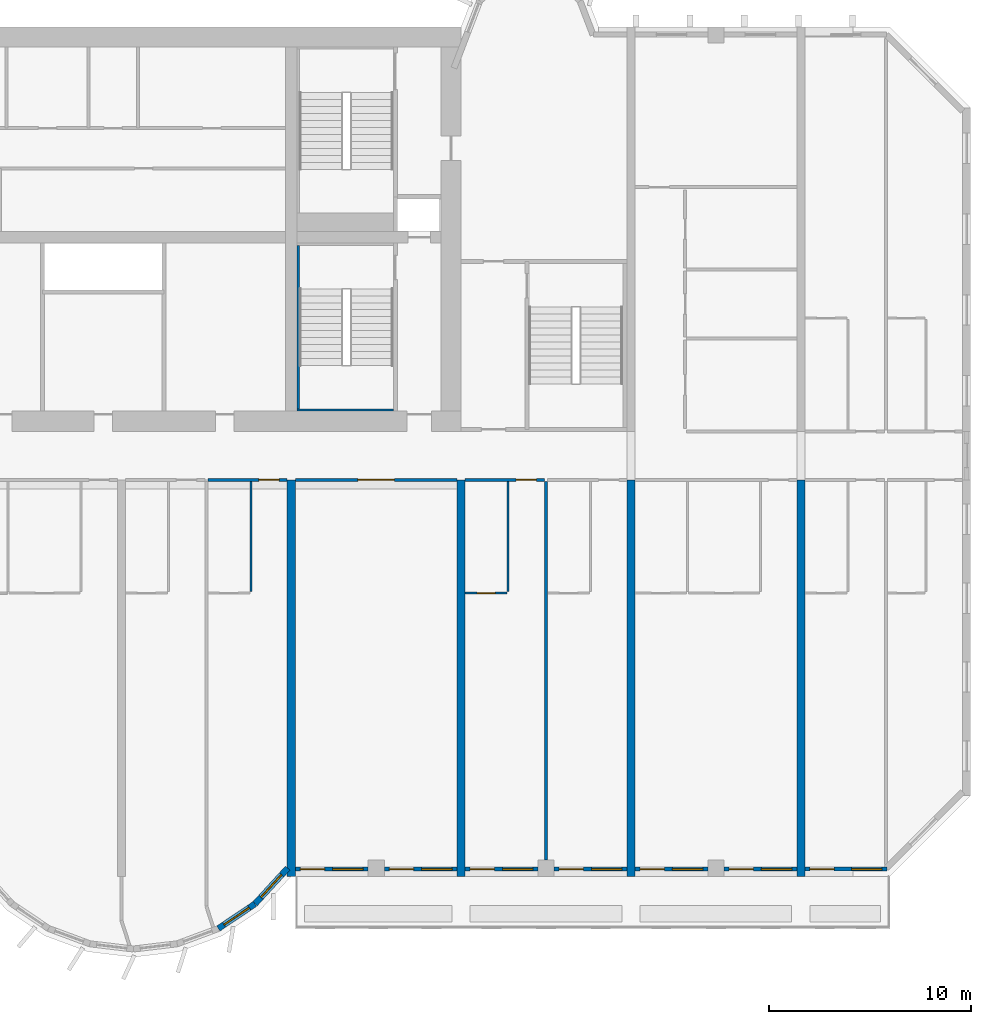
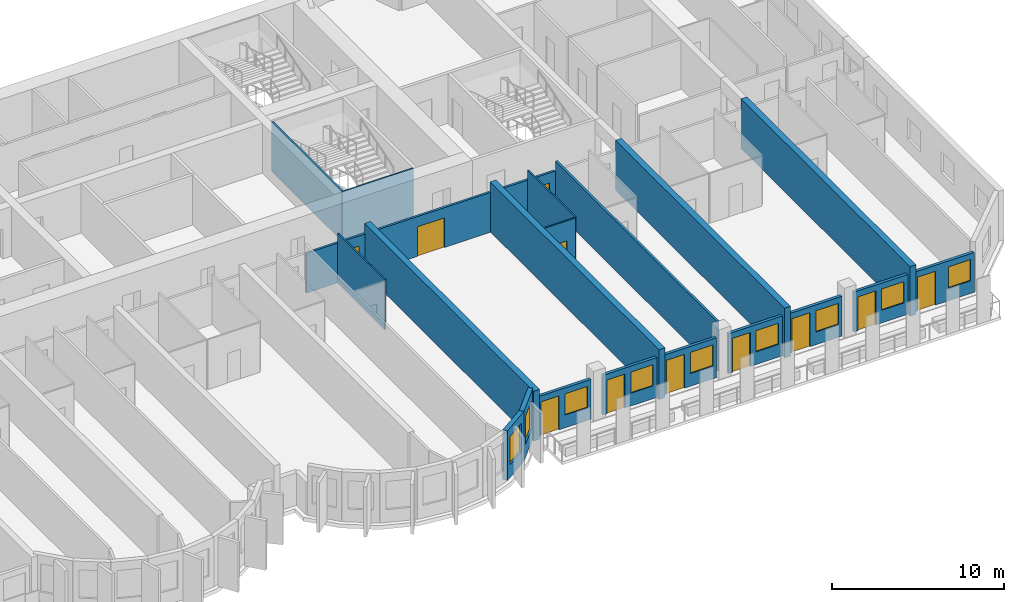
# One storey, part 8 of 15: 22 walls, 11 doors, 9 windows, 20 openings.
"""IFC4 building model written with IfcOpenShell, lengths in metres."""

from ifc_helpers import new_model, si_unit, direction, frame, frame_2d, origin, place, context, subcontext, project, spatial, rectangle, extrude, source, transform, mapped, material, layer, layer_set, type_object, element, fill, save


model = new_model("IFC4")

# Units and contexts
model_context = context("Model", 3, precision=1e-05, world=origin(), true_north=direction((0.0, 1.0)))
body_context = subcontext(model_context, "Body", "Model", "MODEL_VIEW")
ifc_project = project(units=[si_unit("LENGTHUNIT", "METRE"), si_unit("AREAUNIT", "SQUARE_METRE"), si_unit("VOLUMEUNIT", "CUBIC_METRE"), si_unit("PLANEANGLEUNIT", "RADIAN"), si_unit("MASSUNIT", "GRAM", prefix="KILO")], contexts=[model_context])

# Site, building, storey
site_placement = place(None, origin())
site = spatial("IfcSite", under=ifc_project, at=site_placement, CompositionType="ELEMENT")
building_placement = place(site_placement, origin())
building = spatial("IfcBuilding", under=site, at=building_placement, Name="Vanashikhar Sky Hotel", CompositionType="ELEMENT")
storey_placement = place(building_placement, frame((0.0, 0.0, 77.199951171875)))
storey = spatial("IfcBuildingStorey", under=building, at=storey_placement, Name="L18", CompositionType="ELEMENT", Elevation=77.199951171875)

# Walls
ifc_material_1 = material(Name="Concrete M80", Category="concrete")
ifc_layer_1 = layer(ifc_material_1, 0.39990234375)
ifc_layer_set_1 = layer_set([ifc_layer_1], Name="RC shear wall 400 Concrete M80")
wall_type_1 = type_object("IfcWallType", Name="RC shear wall 400 Concrete M80", PredefinedType="SHEAR", material=ifc_layer_set_1)
shared_shape_1 = source(origin(), body_context, "Body", "SweptSolid", [
    extrude(rectangle(XDim=19.60009765625, YDim=0.39990234375, at=frame_2d((9.800048828125, 0.0))), origin(), (0.0, 0.0, 1.0), 3.52001953125),
])
for number, where, z_axis, x_axis, name in (
    (1, (67.199951171875, 0.0, 0.0), (0.0, 0.0, 1.0), (0.0, 1.0, 0.0), "CW-L18-XW09-1"),
    (2, (75.60009765625, 0.0, 0.0), (0.0, 0.0, 1.0), (0.0, 1.0, 0.0), "CW-L18-XW10-1"),
    (3, (84.0, 0.0, 0.0), (0.0, 0.0, 1.0), (0.0, 1.0, 0.0), "CW-L18-XW11-1"),
    (4, (92.39990234375, 0.0, 0.0), (0.0, 0.0, 1.0), (0.0, 1.0, 0.0), "CW-L18-XW12-1"),
):
    element("IfcWall", number, at=place(storey_placement, frame(where, z_axis=z_axis, x_axis=x_axis)), inside=storey, type_object=wall_type_1, Name=name, PredefinedType="SHEAR", context=body_context, shape_type="MappedRepresentation", body=[
        mapped(shared_shape_1, transform((0.0, 0.0, 0.0), scale=1.0)),
    ])

# Wall, opening, window
ifc_material_2 = material(Name="Concrete M50", Category="concrete")
ifc_layer_2 = layer(ifc_material_2, 0.300048828125)
ifc_layer_set_2 = layer_set([ifc_layer_2], Name="Lobe wall 300")
wall_type_2 = type_object("IfcWallType", Name="Lobe wall 300", PredefinedType="SOLIDWALL", material=ifc_layer_set_2)
shared_shape_2 = source(origin(), body_context, "Body", "SweptSolid", [
    extrude(rectangle(XDim=2.398193359375, YDim=0.300048828125, at=frame_2d((1.19921875, 0.0))), origin(), (0.0, 0.0, 1.0), 3.52001953125),
])
wall_1_placement = place(storey_placement, frame((65.404296875, -1.36865234375, 0.0), z_axis=(0.0, 0.0, 1.0), x_axis=(0.675374189419, 0.737475222815, 0.0)))
wall_1 = element("IfcWall", 5, at=wall_1_placement, inside=storey, type_object=wall_type_2, Name="Lobe wall", PredefinedType="SOLIDWALL", context=body_context, shape_type="MappedRepresentation", body=[
    mapped(shared_shape_2, transform((0.0, 0.0, 0.0), scale=1.0)),
])
shared_shape_3 = source(origin(), body_context, "Body", "SweptSolid", [
    extrude(rectangle(XDim=1.5, YDim=2.0, at=frame_2d((0.75, 1.0))), frame((0.0, 0.16015625, 0.0), z_axis=(0.0, -1.0, 0.0), x_axis=(1.0, 0.0, 0.0)), (0.0, 0.0, 1.0), 0.320068359375),
])
opening_1_placement = place(wall_1_placement, frame((0.44921875, 0.0, 0.89990234375)))
opening_1 = element("IfcOpeningElement", 6, at=opening_1_placement, cuts=wall_1, Name="Opening WN-2", PredefinedType="OPENING", context=body_context, shape_type="MappedRepresentation", body=[
    mapped(shared_shape_3, transform((0.0, 0.0, 0.0), scale=1.0)),
])
ifc_material_3 = material(Name="Glass", Category="glass")
window_type_1 = type_object("IfcWindowType", Name="Lobe window 1500 x 2000", PartitioningType="SINGLE_PANEL", PredefinedType="WINDOW", material=ifc_material_3)
shared_shape_4 = source(origin(), body_context, "Body", "SweptSolid", [
    extrude(rectangle(XDim=1.5, YDim=2.0, at=frame_2d((0.75, 1.0))), frame((0.0, 0.030029296875, 0.0), z_axis=(0.0, -1.0, 0.0), x_axis=(1.0, 0.0, 0.0)), (0.0, 0.0, 1.0), 0.06005859375),
])
window_1_placement = place(opening_1_placement, origin())
window_1 = element("IfcWindow", 7, at=window_1_placement, inside=storey, type_object=window_type_1, Name="Window WN-2", OverallHeight=2.0, OverallWidth=1.5, PartitioningType="SINGLE_PANEL", PredefinedType="WINDOW", context=body_context, shape_type="MappedRepresentation", body=[
    mapped(shared_shape_4, transform((0.0, 0.0, 0.0), scale=1.0)),
])
fill(opening_1, window_1)

shared_shape_5 = source(origin(), body_context, "Body", "SweptSolid", [
    extrude(rectangle(XDim=2.17578125, YDim=0.300048828125, at=frame_2d((1.087890625, 0.0))), origin(), (0.0, 0.0, 1.0), 3.52001953125),
])
wall_2_placement = place(storey_placement, frame((63.59912109375, -2.58349609375, 0.0), z_axis=(0.0, 0.0, 1.0), x_axis=(0.829625727223, 0.558319937607, 0.0)))
wall_2 = element("IfcWall", 8, at=wall_2_placement, inside=storey, type_object=wall_type_2, Name="Lobe wall", PredefinedType="SOLIDWALL", context=body_context, shape_type="MappedRepresentation", body=[
    mapped(shared_shape_5, transform((0.0, 0.0, 0.0), scale=1.0)),
])
opening_2_placement = place(wall_2_placement, frame((0.337890625, 0.0, 0.89990234375)))
opening_2 = element("IfcOpeningElement", 9, at=opening_2_placement, cuts=wall_2, Name="Opening WN-2", PredefinedType="OPENING", context=body_context, shape_type="MappedRepresentation", body=[
    mapped(shared_shape_3, transform((0.0, 0.0, 0.0), scale=1.0)),
])
window_2_placement = place(opening_2_placement, origin())
window_2 = element("IfcWindow", 10, at=window_2_placement, inside=storey, type_object=window_type_1, Name="Window WN-2", OverallHeight=2.0, OverallWidth=1.5, PartitioningType="SINGLE_PANEL", PredefinedType="WINDOW", context=body_context, shape_type="MappedRepresentation", body=[
    mapped(shared_shape_4, transform((0.0, 0.0, 0.0), scale=1.0)),
])
fill(opening_2, window_2)

# Wall, openings, window, door
ifc_layer_3 = layer(ifc_material_2, 0.199951171875)
ifc_layer_set_3 = layer_set([ifc_layer_3], Name="Front window wall 200")
wall_type_3 = type_object("IfcWallType", Name="Front window wall 200", PredefinedType="SOLIDWALL", material=ifc_layer_set_3)
shared_shape_6 = source(origin(), body_context, "Body", "SweptSolid", [
    extrude(rectangle(XDim=4.054931640625, YDim=0.199951171875, at=frame_2d((2.02734375, 0.0))), origin(), (0.0, 0.0, 1.0), 2.820068359375),
])
wall_3_placement = place(storey_placement, frame((92.60009765625, 0.35009765625, 0.0), z_axis=(0.0, 0.0, 1.0), x_axis=(1.0, 0.0, 0.0)))
wall_3 = element("IfcWall", 11, at=wall_3_placement, inside=storey, type_object=wall_type_3, Name="Front window wall", PredefinedType="SOLIDWALL", context=body_context, shape_type="MappedRepresentation", body=[
    mapped(shared_shape_6, transform((0.0, 0.0, 0.0), scale=1.0)),
])
shared_shape_7 = source(origin(), body_context, "Body", "SweptSolid", [
    extrude(rectangle(XDim=1.199951171875, YDim=2.39990234375, at=frame_2d((0.60009765625, 1.199951171875))), frame((0.0, 0.10986328125, 0.0), z_axis=(0.0, -1.0, 0.0), x_axis=(1.0, 0.0, 0.0)), (0.0, 0.0, 1.0), 0.219970703125),
])
opening_3_placement = place(wall_3_placement, frame((0.25, 0.0, 0.0)))
opening_3 = element("IfcOpeningElement", 12, at=opening_3_placement, cuts=wall_3, Name="Opening BD-14", PredefinedType="OPENING", context=body_context, shape_type="MappedRepresentation", body=[
    mapped(shared_shape_7, transform((0.0, 0.0, 0.0), scale=1.0)),
])
shared_shape_8 = source(origin(), body_context, "Body", "SweptSolid", [
    extrude(rectangle(XDim=1.5, YDim=1.5, at=frame_2d((0.75, 0.75))), frame((0.0, 0.10986328125, 0.0), z_axis=(0.0, -1.0, 0.0), x_axis=(1.0, 0.0, 0.0)), (0.0, 0.0, 1.0), 0.219970703125),
])
opening_4_placement = place(wall_3_placement, frame((2.304931640625, 0.0, 0.89990234375)))
opening_4 = element("IfcOpeningElement", 13, at=opening_4_placement, cuts=wall_3, Name="Opening WN-1", PredefinedType="OPENING", context=body_context, shape_type="MappedRepresentation", body=[
    mapped(shared_shape_8, transform((0.0, 0.0, 0.0), scale=1.0)),
])
window_type_2 = type_object("IfcWindowType", Name="Window 1500 x 1500", PartitioningType="SINGLE_PANEL", PredefinedType="WINDOW", material=ifc_material_3)
shared_shape_9 = source(origin(), body_context, "Body", "SweptSolid", [
    extrude(rectangle(XDim=1.5, YDim=1.5, at=frame_2d((0.75, 0.75))), frame((0.0, 0.030029296875, 0.0), z_axis=(0.0, -1.0, 0.0), x_axis=(1.0, 0.0, 0.0)), (0.0, 0.0, 1.0), 0.06005859375),
])
window_3_placement = place(opening_4_placement, origin())
window_3 = element("IfcWindow", 14, at=window_3_placement, inside=storey, type_object=window_type_2, Name="Window WN-1", OverallHeight=1.5, OverallWidth=1.5, PartitioningType="SINGLE_PANEL", PredefinedType="WINDOW", context=body_context, shape_type="MappedRepresentation", body=[
    mapped(shared_shape_9, transform((0.0, 0.0, 0.0), scale=1.0)),
])
fill(opening_4, window_3)
ifc_material_4 = material(Name="Aluminium", Category="aluminium")
door_type_1 = type_object("IfcDoorType", Name="Balcony sliding door 1200 x 2400", OperationType="NOTDEFINED", PredefinedType="DOOR", material=ifc_material_4)
shared_shape_10 = source(origin(), body_context, "Body", "SweptSolid", [
    extrude(rectangle(XDim=1.199951171875, YDim=2.39990234375, at=frame_2d((0.60009765625, 1.199951171875))), frame((0.0, 0.02490234375, 0.0), z_axis=(0.0, -1.0, 0.0), x_axis=(1.0, 0.0, 0.0)), (0.0, 0.0, 1.0), 0.050048828125),
])
door_1_placement = place(opening_3_placement, origin())
door_1 = element("IfcDoor", 15, at=door_1_placement, inside=storey, type_object=door_type_1, Name="Balcony sliding door", OperationType="SLIDING_TO_RIGHT", OverallHeight=2.39990234375, OverallWidth=1.199951171875, PredefinedType="DOOR", context=body_context, shape_type="MappedRepresentation", body=[
    mapped(shared_shape_10, transform((0.0, 0.0, 0.0), scale=1.0)),
])
fill(opening_3, door_1)

shared_shape_11 = source(origin(), body_context, "Body", "SweptSolid", [
    extrude(rectangle(XDim=3.599853515625, YDim=0.199951171875, at=frame_2d((1.7998046875, 0.0))), origin(), (0.0, 0.0, 1.0), 2.820068359375),
])
wall_4_placement = place(storey_placement, frame((71.800048828125, 0.35009765625, 0.0), z_axis=(0.0, 0.0, 1.0), x_axis=(1.0, 0.0, 0.0)))
wall_4 = element("IfcWall", 16, at=wall_4_placement, inside=storey, type_object=wall_type_3, Name="Front window wall", PredefinedType="SOLIDWALL", context=body_context, shape_type="MappedRepresentation", body=[
    mapped(shared_shape_11, transform((0.0, 0.0, 0.0), scale=1.0)),
])
opening_5_placement = place(wall_4_placement, frame((0.25, 0.0, 0.0)))
opening_5 = element("IfcOpeningElement", 17, at=opening_5_placement, cuts=wall_4, Name="Opening BD-09", PredefinedType="OPENING", context=body_context, shape_type="MappedRepresentation", body=[
    mapped(shared_shape_7, transform((0.0, 0.0, 0.0), scale=1.0)),
])
opening_6_placement = place(wall_4_placement, frame((1.85009765625, 0.0, 0.89990234375)))
opening_6 = element("IfcOpeningElement", 18, at=opening_6_placement, cuts=wall_4, Name="Opening WN-1", PredefinedType="OPENING", context=body_context, shape_type="MappedRepresentation", body=[
    mapped(shared_shape_8, transform((0.0, 0.0, 0.0), scale=1.0)),
])
window_4_placement = place(opening_6_placement, origin())
window_4 = element("IfcWindow", 19, at=window_4_placement, inside=storey, type_object=window_type_2, Name="Window WN-1", OverallHeight=1.5, OverallWidth=1.5, PartitioningType="SINGLE_PANEL", PredefinedType="WINDOW", context=body_context, shape_type="MappedRepresentation", body=[
    mapped(shared_shape_9, transform((0.0, 0.0, 0.0), scale=1.0)),
])
fill(opening_6, window_4)
door_2_placement = place(opening_5_placement, origin())
door_2 = element("IfcDoor", 20, at=door_2_placement, inside=storey, type_object=door_type_1, Name="Balcony sliding door", OperationType="SLIDING_TO_LEFT", OverallHeight=2.39990234375, OverallWidth=1.199951171875, PredefinedType="DOOR", context=body_context, shape_type="MappedRepresentation", body=[
    mapped(shared_shape_10, transform((0.0, 0.0, 0.0), scale=1.0)),
])
fill(opening_5, door_2)

wall_5_placement = place(storey_placement, frame((75.800048828125, 0.35009765625, 0.0), z_axis=(0.0, 0.0, 1.0), x_axis=(1.0, 0.0, 0.0)))
wall_5 = element("IfcWall", 21, at=wall_5_placement, inside=storey, type_object=wall_type_3, Name="Front window wall", PredefinedType="SOLIDWALL", context=body_context, shape_type="MappedRepresentation", body=[
    mapped(shared_shape_11, transform((0.0, 0.0, 0.0), scale=1.0)),
])
opening_7_placement = place(wall_5_placement, frame((0.25, 0.0, 0.0)))
opening_7 = element("IfcOpeningElement", 22, at=opening_7_placement, cuts=wall_5, Name="Opening BD-10", PredefinedType="OPENING", context=body_context, shape_type="MappedRepresentation", body=[
    mapped(shared_shape_7, transform((0.0, 0.0, 0.0), scale=1.0)),
])
opening_8_placement = place(wall_5_placement, frame((1.85009765625, 0.0, 0.89990234375)))
opening_8 = element("IfcOpeningElement", 23, at=opening_8_placement, cuts=wall_5, Name="Opening WN-1", PredefinedType="OPENING", context=body_context, shape_type="MappedRepresentation", body=[
    mapped(shared_shape_8, transform((0.0, 0.0, 0.0), scale=1.0)),
])
window_5_placement = place(opening_8_placement, origin())
window_5 = element("IfcWindow", 24, at=window_5_placement, inside=storey, type_object=window_type_2, Name="Window WN-1", OverallHeight=1.5, OverallWidth=1.5, PartitioningType="SINGLE_PANEL", PredefinedType="WINDOW", context=body_context, shape_type="MappedRepresentation", body=[
    mapped(shared_shape_9, transform((0.0, 0.0, 0.0), scale=1.0)),
])
fill(opening_8, window_5)
door_3_placement = place(opening_7_placement, origin())
door_3 = element("IfcDoor", 25, at=door_3_placement, inside=storey, type_object=door_type_1, Name="Balcony sliding door", OperationType="SLIDING_TO_RIGHT", OverallHeight=2.39990234375, OverallWidth=1.199951171875, PredefinedType="DOOR", context=body_context, shape_type="MappedRepresentation", body=[
    mapped(shared_shape_10, transform((0.0, 0.0, 0.0), scale=1.0)),
])
fill(opening_7, door_3)

wall_6_placement = place(storey_placement, frame((88.60009765625, 0.35009765625, 0.0), z_axis=(0.0, 0.0, 1.0), x_axis=(1.0, 0.0, 0.0)))
wall_6 = element("IfcWall", 26, at=wall_6_placement, inside=storey, type_object=wall_type_3, Name="Front window wall", PredefinedType="SOLIDWALL", context=body_context, shape_type="MappedRepresentation", body=[
    mapped(shared_shape_11, transform((0.0, 0.0, 0.0), scale=1.0)),
])
opening_9_placement = place(wall_6_placement, frame((0.25, 0.0, 0.0)))
opening_9 = element("IfcOpeningElement", 27, at=opening_9_placement, cuts=wall_6, Name="Opening BD-13", PredefinedType="OPENING", context=body_context, shape_type="MappedRepresentation", body=[
    mapped(shared_shape_7, transform((0.0, 0.0, 0.0), scale=1.0)),
])
opening_10_placement = place(wall_6_placement, frame((1.85009765625, 0.0, 0.89990234375)))
opening_10 = element("IfcOpeningElement", 28, at=opening_10_placement, cuts=wall_6, Name="Opening WN-1", PredefinedType="OPENING", context=body_context, shape_type="MappedRepresentation", body=[
    mapped(shared_shape_8, transform((0.0, 0.0, 0.0), scale=1.0)),
])
window_6_placement = place(opening_10_placement, origin())
window_6 = element("IfcWindow", 29, at=window_6_placement, inside=storey, type_object=window_type_2, Name="Window WN-1", OverallHeight=1.5, OverallWidth=1.5, PartitioningType="SINGLE_PANEL", PredefinedType="WINDOW", context=body_context, shape_type="MappedRepresentation", body=[
    mapped(shared_shape_9, transform((0.0, 0.0, 0.0), scale=1.0)),
])
fill(opening_10, window_6)
door_4_placement = place(opening_9_placement, origin())
door_4 = element("IfcDoor", 30, at=door_4_placement, inside=storey, type_object=door_type_1, Name="Balcony sliding door", OperationType="SLIDING_TO_LEFT", OverallHeight=2.39990234375, OverallWidth=1.199951171875, PredefinedType="DOOR", context=body_context, shape_type="MappedRepresentation", body=[
    mapped(shared_shape_10, transform((0.0, 0.0, 0.0), scale=1.0)),
])
fill(opening_9, door_4)

shared_shape_12 = source(origin(), body_context, "Body", "SweptSolid", [
    extrude(rectangle(XDim=3.60009765625, YDim=0.199951171875, at=frame_2d((1.800048828125, 0.0))), origin(), (0.0, 0.0, 1.0), 2.820068359375),
])
wall_7_placement = place(storey_placement, frame((67.39990234375, 0.35009765625, 0.0), z_axis=(0.0, 0.0, 1.0), x_axis=(1.0, 0.0, 0.0)))
wall_7 = element("IfcWall", 31, at=wall_7_placement, inside=storey, type_object=wall_type_3, Name="Front window wall", PredefinedType="SOLIDWALL", context=body_context, shape_type="MappedRepresentation", body=[
    mapped(shared_shape_12, transform((0.0, 0.0, 0.0), scale=1.0)),
])
opening_11_placement = place(wall_7_placement, frame((0.25, 0.0, 0.0)))
opening_11 = element("IfcOpeningElement", 32, at=opening_11_placement, cuts=wall_7, Name="Opening BD-08", PredefinedType="OPENING", context=body_context, shape_type="MappedRepresentation", body=[
    mapped(shared_shape_7, transform((0.0, 0.0, 0.0), scale=1.0)),
])
opening_12_placement = place(wall_7_placement, frame((1.85009765625, 0.0, 0.89990234375)))
opening_12 = element("IfcOpeningElement", 33, at=opening_12_placement, cuts=wall_7, Name="Opening WN-1", PredefinedType="OPENING", context=body_context, shape_type="MappedRepresentation", body=[
    mapped(shared_shape_8, transform((0.0, 0.0, 0.0), scale=1.0)),
])
window_7_placement = place(opening_12_placement, origin())
window_7 = element("IfcWindow", 34, at=window_7_placement, inside=storey, type_object=window_type_2, Name="Window WN-1", OverallHeight=1.5, OverallWidth=1.5, PartitioningType="SINGLE_PANEL", PredefinedType="WINDOW", context=body_context, shape_type="MappedRepresentation", body=[
    mapped(shared_shape_9, transform((0.0, 0.0, 0.0), scale=1.0)),
])
fill(opening_12, window_7)
door_5_placement = place(opening_11_placement, origin())
door_5 = element("IfcDoor", 35, at=door_5_placement, inside=storey, type_object=door_type_1, Name="Balcony sliding door", OperationType="SLIDING_TO_RIGHT", OverallHeight=2.39990234375, OverallWidth=1.199951171875, PredefinedType="DOOR", context=body_context, shape_type="MappedRepresentation", body=[
    mapped(shared_shape_10, transform((0.0, 0.0, 0.0), scale=1.0)),
])
fill(opening_11, door_5)

wall_8_placement = place(storey_placement, frame((80.199951171875, 0.35009765625, 0.0), z_axis=(0.0, 0.0, 1.0), x_axis=(1.0, 0.0, 0.0)))
wall_8 = element("IfcWall", 36, at=wall_8_placement, inside=storey, type_object=wall_type_3, Name="Front window wall", PredefinedType="SOLIDWALL", context=body_context, shape_type="MappedRepresentation", body=[
    mapped(shared_shape_12, transform((0.0, 0.0, 0.0), scale=1.0)),
])
opening_13_placement = place(wall_8_placement, frame((0.25, 0.0, 0.0)))
opening_13 = element("IfcOpeningElement", 37, at=opening_13_placement, cuts=wall_8, Name="Opening BD-11", PredefinedType="OPENING", context=body_context, shape_type="MappedRepresentation", body=[
    mapped(shared_shape_7, transform((0.0, 0.0, 0.0), scale=1.0)),
])
opening_14_placement = place(wall_8_placement, frame((1.85009765625, 0.0, 0.89990234375)))
opening_14 = element("IfcOpeningElement", 38, at=opening_14_placement, cuts=wall_8, Name="Opening WN-1", PredefinedType="OPENING", context=body_context, shape_type="MappedRepresentation", body=[
    mapped(shared_shape_8, transform((0.0, 0.0, 0.0), scale=1.0)),
])
window_8_placement = place(opening_14_placement, origin())
window_8 = element("IfcWindow", 39, at=window_8_placement, inside=storey, type_object=window_type_2, Name="Window WN-1", OverallHeight=1.5, OverallWidth=1.5, PartitioningType="SINGLE_PANEL", PredefinedType="WINDOW", context=body_context, shape_type="MappedRepresentation", body=[
    mapped(shared_shape_9, transform((0.0, 0.0, 0.0), scale=1.0)),
])
fill(opening_14, window_8)
door_6_placement = place(opening_13_placement, origin())
door_6 = element("IfcDoor", 40, at=door_6_placement, inside=storey, type_object=door_type_1, Name="Balcony sliding door", OperationType="SLIDING_TO_LEFT", OverallHeight=2.39990234375, OverallWidth=1.199951171875, PredefinedType="DOOR", context=body_context, shape_type="MappedRepresentation", body=[
    mapped(shared_shape_10, transform((0.0, 0.0, 0.0), scale=1.0)),
])
fill(opening_13, door_6)

wall_9_placement = place(storey_placement, frame((84.199951171875, 0.35009765625, 0.0), z_axis=(0.0, 0.0, 1.0), x_axis=(1.0, 0.0, 0.0)))
wall_9 = element("IfcWall", 41, at=wall_9_placement, inside=storey, type_object=wall_type_3, Name="Front window wall", PredefinedType="SOLIDWALL", context=body_context, shape_type="MappedRepresentation", body=[
    mapped(shared_shape_12, transform((0.0, 0.0, 0.0), scale=1.0)),
])
opening_15_placement = place(wall_9_placement, frame((0.25, 0.0, 0.0)))
opening_15 = element("IfcOpeningElement", 42, at=opening_15_placement, cuts=wall_9, Name="Opening BD-12", PredefinedType="OPENING", context=body_context, shape_type="MappedRepresentation", body=[
    mapped(shared_shape_7, transform((0.0, 0.0, 0.0), scale=1.0)),
])
opening_16_placement = place(wall_9_placement, frame((1.85009765625, 0.0, 0.89990234375)))
opening_16 = element("IfcOpeningElement", 43, at=opening_16_placement, cuts=wall_9, Name="Opening WN-1", PredefinedType="OPENING", context=body_context, shape_type="MappedRepresentation", body=[
    mapped(shared_shape_8, transform((0.0, 0.0, 0.0), scale=1.0)),
])
window_9_placement = place(opening_16_placement, origin())
window_9 = element("IfcWindow", 44, at=window_9_placement, inside=storey, type_object=window_type_2, Name="Window WN-1", OverallHeight=1.5, OverallWidth=1.5, PartitioningType="SINGLE_PANEL", PredefinedType="WINDOW", context=body_context, shape_type="MappedRepresentation", body=[
    mapped(shared_shape_9, transform((0.0, 0.0, 0.0), scale=1.0)),
])
fill(opening_16, window_9)
door_7_placement = place(opening_15_placement, origin())
door_7 = element("IfcDoor", 45, at=door_7_placement, inside=storey, type_object=door_type_1, Name="Balcony sliding door", OperationType="SLIDING_TO_RIGHT", OverallHeight=2.39990234375, OverallWidth=1.199951171875, PredefinedType="DOOR", context=body_context, shape_type="MappedRepresentation", body=[
    mapped(shared_shape_10, transform((0.0, 0.0, 0.0), scale=1.0)),
])
fill(opening_15, door_7)

# Walls
ifc_layer_4 = layer(ifc_material_2, 0.10009765625)
ifc_layer_set_4 = layer_set([ifc_layer_4], Name="Stair infill wall 100")
wall_type_4 = type_object("IfcWallType", Name="Stair infill wall 100", PredefinedType="SOLIDWALL", material=ifc_layer_set_4)
shared_shape_13 = source(origin(), body_context, "Body", "SweptSolid", [
    extrude(rectangle(XDim=4.77490234375, YDim=0.10009765625, at=frame_2d((2.387451171875, 0.0))), origin(), (0.0, 0.0, 1.0), 3.52001953125),
])
wall_10_placement = place(storey_placement, frame((67.47509765625, 23.050048828125, 0.0), z_axis=(0.0, 0.0, 1.0), x_axis=(1.0, 0.0, 0.0)))
element("IfcWall", 46, at=wall_10_placement, inside=storey, type_object=wall_type_4, Name="Stair infill wall 100", PredefinedType="SOLIDWALL", context=body_context, shape_type="MappedRepresentation", body=[
    mapped(shared_shape_13, transform((0.0, 0.0, 0.0), scale=1.0)),
])
ifc_layer_5 = layer(ifc_material_2, 0.125)
ifc_layer_set_5 = layer_set([ifc_layer_5], Name="Stair infill wall 125")
wall_type_5 = type_object("IfcWallType", Name="Stair infill wall 125", PredefinedType="SOLIDWALL", material=ifc_layer_set_5)
shared_shape_14 = source(origin(), body_context, "Body", "SweptSolid", [
    extrude(rectangle(XDim=8.099853515625, YDim=0.125, at=frame_2d((4.0498046875, 0.0))), origin(), (0.0, 0.0, 1.0), 3.52001953125),
])
wall_11_placement = place(storey_placement, frame((67.537109375, 23.10009765625, 0.0), z_axis=(0.0, 0.0, 1.0), x_axis=(0.0, 1.0, 0.0)))
element("IfcWall", 47, at=wall_11_placement, inside=storey, type_object=wall_type_5, Name="Stair infill wall 125", PredefinedType="SOLIDWALL", context=body_context, shape_type="MappedRepresentation", body=[
    mapped(shared_shape_14, transform((0.0, 0.0, 0.0), scale=1.0)),
])

# Wall, opening, door
ifc_material_5 = material(Name="Gypsum plasterboard partition")
ifc_layer_6 = layer(ifc_material_5, 0.10009765625)
ifc_layer_set_6 = layer_set([ifc_layer_6], Name="Wet room partition 100")
wall_type_6 = type_object("IfcWallType", Name="Wet room partition 100", PredefinedType="PARTITIONING", material=ifc_layer_set_6)
shared_shape_15 = source(origin(), body_context, "Body", "SweptSolid", [
    extrude(rectangle(XDim=2.074951171875, YDim=0.10009765625, at=frame_2d((1.03759765625, 0.0))), origin(), (0.0, 0.0, 1.0), 3.52001953125),
])
wall_12_placement = place(storey_placement, frame((75.800048828125, 14.0, 0.0), z_axis=(0.0, 0.0, 1.0), x_axis=(1.0, 0.0, 0.0)))
wall_12 = element("IfcWall", 48, at=wall_12_placement, inside=storey, type_object=wall_type_6, Name="W-L18-PW051", PredefinedType="PARTITIONING", context=body_context, shape_type="MappedRepresentation", body=[
    mapped(shared_shape_15, transform((0.0, 0.0, 0.0), scale=1.0)),
])
shared_shape_16 = source(origin(), body_context, "Body", "SweptSolid", [
    extrude(rectangle(XDim=0.89990234375, YDim=2.10009765625, at=frame_2d((0.449951171875, 1.050048828125))), frame((0.0, 0.06005859375, 0.0), z_axis=(0.0, -1.0, 0.0), x_axis=(1.0, 0.0, 0.0)), (0.0, 0.0, 1.0), 0.1201171875),
])
opening_17_placement = place(wall_12_placement, frame((0.587890625, 0.0, 0.0)))
opening_17 = element("IfcOpeningElement", 49, at=opening_17_placement, cuts=wall_12, Name="Opening D-02", PredefinedType="OPENING", context=body_context, shape_type="MappedRepresentation", body=[
    mapped(shared_shape_16, transform((0.0, 0.0, 0.0), scale=1.0)),
])
ifc_material_6 = material(Name="Timber door", Category="wood")
door_type_2 = type_object("IfcDoorType", Name="Internal door 900", OperationType="NOTDEFINED", PredefinedType="DOOR", material=ifc_material_6)
shared_shape_17 = source(origin(), body_context, "Body", "SweptSolid", [
    extrude(rectangle(XDim=0.89990234375, YDim=2.10009765625, at=frame_2d((0.449951171875, 1.050048828125))), frame((0.0, 0.02490234375, 0.0), z_axis=(0.0, -1.0, 0.0), x_axis=(1.0, 0.0, 0.0)), (0.0, 0.0, 1.0), 0.050048828125),
])
door_8_placement = place(opening_17_placement, origin())
door_8 = element("IfcDoor", 50, at=door_8_placement, inside=storey, type_object=door_type_2, Name="D-L18-030", OperationType="SINGLE_SWING_RIGHT", OverallHeight=2.10009765625, OverallWidth=0.89990234375, PredefinedType="DOOR", context=body_context, shape_type="MappedRepresentation", body=[
    mapped(shared_shape_17, transform((0.0, 0.0, 0.0), scale=1.0)),
])
fill(opening_17, door_8)

ifc_layer_7 = layer(ifc_material_5, 0.14990234375)
ifc_layer_set_7 = layer_set([ifc_layer_7], Name="Corridor and demising partition 150")
wall_type_7 = type_object("IfcWallType", Name="Corridor and demising partition 150", PredefinedType="PARTITIONING", material=ifc_layer_set_7)
shared_shape_18 = source(origin(), body_context, "Body", "SweptSolid", [
    extrude(rectangle(XDim=3.925048828125, YDim=0.14990234375, at=frame_2d((1.96240234375, 0.0))), origin(), (0.0, 0.0, 1.0), 2.820068359375),
])
wall_13_placement = place(storey_placement, frame((63.074951171875, 19.60009765625, 0.0), z_axis=(0.0, 0.0, 1.0), x_axis=(1.0, 0.0, 0.0)))
wall_13 = element("IfcWall", 51, at=wall_13_placement, inside=storey, type_object=wall_type_7, Name="W-L18-PW047", PredefinedType="PARTITIONING", context=body_context, shape_type="MappedRepresentation", body=[
    mapped(shared_shape_18, transform((0.0, 0.0, 0.0), scale=1.0)),
])
shared_shape_19 = source(origin(), body_context, "Body", "SweptSolid", [
    extrude(rectangle(XDim=1.0, YDim=2.10009765625, at=frame_2d((0.5, 1.050048828125))), frame((0.0, 0.0849609375, 0.0), z_axis=(0.0, -1.0, 0.0), x_axis=(1.0, 0.0, 0.0)), (0.0, 0.0, 1.0), 0.169921875),
])
opening_18_placement = place(wall_13_placement, frame((2.52490234375, 0.0, 0.0)))
opening_18 = element("IfcOpeningElement", 52, at=opening_18_placement, cuts=wall_13, Name="Opening D-01", PredefinedType="OPENING", context=body_context, shape_type="MappedRepresentation", body=[
    mapped(shared_shape_19, transform((0.0, 0.0, 0.0), scale=1.0)),
])
ifc_material_7 = material(Name="Timber fire door", Category="wood")
door_type_3 = type_object("IfcDoorType", Name="Guest entry door 1000 FD30S", OperationType="NOTDEFINED", PredefinedType="DOOR", material=ifc_material_7)
shared_shape_20 = source(origin(), body_context, "Body", "SweptSolid", [
    extrude(rectangle(XDim=1.0, YDim=2.10009765625, at=frame_2d((0.5, 1.050048828125))), frame((0.0, 0.02490234375, 0.0), z_axis=(0.0, -1.0, 0.0), x_axis=(1.0, 0.0, 0.0)), (0.0, 0.0, 1.0), 0.050048828125),
])
door_9_placement = place(opening_18_placement, origin())
door_9 = element("IfcDoor", 53, at=door_9_placement, inside=storey, type_object=door_type_3, Name="D-L18-028", OperationType="SINGLE_SWING_RIGHT", OverallHeight=2.10009765625, OverallWidth=1.0, PredefinedType="DOOR", context=body_context, shape_type="MappedRepresentation", body=[
    mapped(shared_shape_20, transform((0.0, 0.0, 0.0), scale=1.0)),
])
fill(opening_18, door_9)

wall_14_placement = place(storey_placement, frame((75.800048828125, 19.60009765625, 0.0), z_axis=(0.0, 0.0, 1.0), x_axis=(1.0, 0.0, 0.0)))
wall_14 = element("IfcWall", 54, at=wall_14_placement, inside=storey, type_object=wall_type_7, Name="W-L18-PW052", PredefinedType="PARTITIONING", context=body_context, shape_type="MappedRepresentation", body=[
    mapped(shared_shape_18, transform((0.0, 0.0, 0.0), scale=1.0)),
])
opening_19_placement = place(wall_14_placement, frame((2.52490234375, 0.0, 0.0)))
opening_19 = element("IfcOpeningElement", 55, at=opening_19_placement, cuts=wall_14, Name="Opening D-01", PredefinedType="OPENING", context=body_context, shape_type="MappedRepresentation", body=[
    mapped(shared_shape_19, transform((0.0, 0.0, 0.0), scale=1.0)),
])
door_10_placement = place(opening_19_placement, origin())
door_10 = element("IfcDoor", 56, at=door_10_placement, inside=storey, type_object=door_type_3, Name="D-L18-031", OperationType="SINGLE_SWING_RIGHT", OverallHeight=2.10009765625, OverallWidth=1.0, PredefinedType="DOOR", context=body_context, shape_type="MappedRepresentation", body=[
    mapped(shared_shape_20, transform((0.0, 0.0, 0.0), scale=1.0)),
])
fill(opening_19, door_10)

# Wall
shared_shape_21 = source(origin(), body_context, "Body", "SweptSolid", [
    extrude(rectangle(XDim=18.724853515625, YDim=0.14990234375, at=frame_2d((9.3623046875, 0.0))), origin(), (0.0, 0.0, 1.0), 3.52001953125),
])
wall_15_placement = place(storey_placement, frame((79.800048828125, 0.800048828125, 0.0), z_axis=(0.0, 0.0, 1.0), x_axis=(0.0, 1.0, 0.0)))
element("IfcWall", 57, at=wall_15_placement, inside=storey, type_object=wall_type_7, Name="W-L18-PW056", PredefinedType="PARTITIONING", context=body_context, shape_type="MappedRepresentation", body=[
    mapped(shared_shape_21, transform((0.0, 0.0, 0.0), scale=1.0)),
])

# Wall, opening, door
shared_shape_22 = source(origin(), body_context, "Body", "SweptSolid", [
    extrude(rectangle(XDim=8.0, YDim=0.14990234375, at=frame_2d((4.0, 0.0))), origin(), (0.0, 0.0, 1.0), 2.820068359375),
])
wall_16_placement = place(storey_placement, frame((67.39990234375, 19.60009765625, 0.0), z_axis=(0.0, 0.0, 1.0), x_axis=(1.0, 0.0, 0.0)))
wall_16 = element("IfcWall", 58, at=wall_16_placement, inside=storey, type_object=wall_type_7, Name="W-L18-PW049", PredefinedType="PARTITIONING", context=body_context, shape_type="MappedRepresentation", body=[
    mapped(shared_shape_22, transform((0.0, 0.0, 0.0), scale=1.0)),
])
shared_shape_23 = source(origin(), body_context, "Body", "SweptSolid", [
    extrude(rectangle(XDim=1.800048828125, YDim=2.10009765625, at=frame_2d((0.89990234375, 1.050048828125))), frame((0.0, 0.0849609375, 0.0), z_axis=(0.0, -1.0, 0.0), x_axis=(1.0, 0.0, 0.0)), (0.0, 0.0, 1.0), 0.169921875),
])
opening_20_placement = place(wall_16_placement, frame((3.10009765625, 0.0, 0.0)))
opening_20 = element("IfcOpeningElement", 59, at=opening_20_placement, cuts=wall_16, Name="Opening D-03", PredefinedType="OPENING", context=body_context, shape_type="MappedRepresentation", body=[
    mapped(shared_shape_23, transform((0.0, 0.0, 0.0), scale=1.0)),
])
door_type_4 = type_object("IfcDoorType", Name="Double leaf door 1800 FD30S", OperationType="NOTDEFINED", PredefinedType="DOOR", material=ifc_material_7)
shared_shape_24 = source(origin(), body_context, "Body", "SweptSolid", [
    extrude(rectangle(XDim=1.800048828125, YDim=2.10009765625, at=frame_2d((0.89990234375, 1.050048828125))), frame((0.0, 0.02490234375, 0.0), z_axis=(0.0, -1.0, 0.0), x_axis=(1.0, 0.0, 0.0)), (0.0, 0.0, 1.0), 0.050048828125),
])
door_11_placement = place(opening_20_placement, origin())
door_11 = element("IfcDoor", 60, at=door_11_placement, inside=storey, type_object=door_type_4, Name="D-L18-029", OperationType="DOUBLE_DOOR_SINGLE_SWING", OverallHeight=2.10009765625, OverallWidth=1.800048828125, PredefinedType="DOOR", context=body_context, shape_type="MappedRepresentation", body=[
    mapped(shared_shape_24, transform((0.0, 0.0, 0.0), scale=1.0)),
])
fill(opening_20, door_11)

# Walls
shared_shape_25 = source(origin(), body_context, "Body", "SweptSolid", [
    extrude(rectangle(XDim=5.449951171875, YDim=0.10009765625, at=frame_2d((2.72509765625, 0.0))), origin(), (0.0, 0.0, 1.0), 3.52001953125),
])
for number, where, z_axis, x_axis, name in (
    (61, (65.199951171875, 14.074951171875, 0.0), (0.0, 0.0, 1.0), (0.0, 1.0, 0.0), "W-L18-PW045"),
    (62, (77.925048828125, 14.074951171875, 0.0), (0.0, 0.0, 1.0), (0.0, 1.0, 0.0), "W-L18-PW050"),
):
    element("IfcWall", number, at=place(storey_placement, frame(where, z_axis=z_axis, x_axis=x_axis)), inside=storey, type_object=wall_type_6, Name=name, PredefinedType="PARTITIONING", context=body_context, shape_type="MappedRepresentation", body=[
        mapped(shared_shape_25, transform((0.0, 0.0, 0.0), scale=1.0)),
    ])

save(model, "model.ifc")
